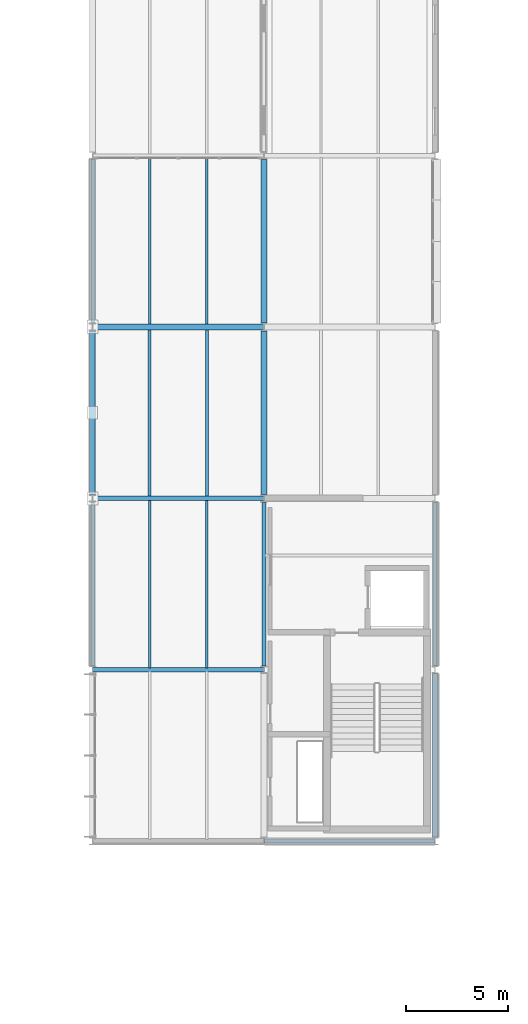
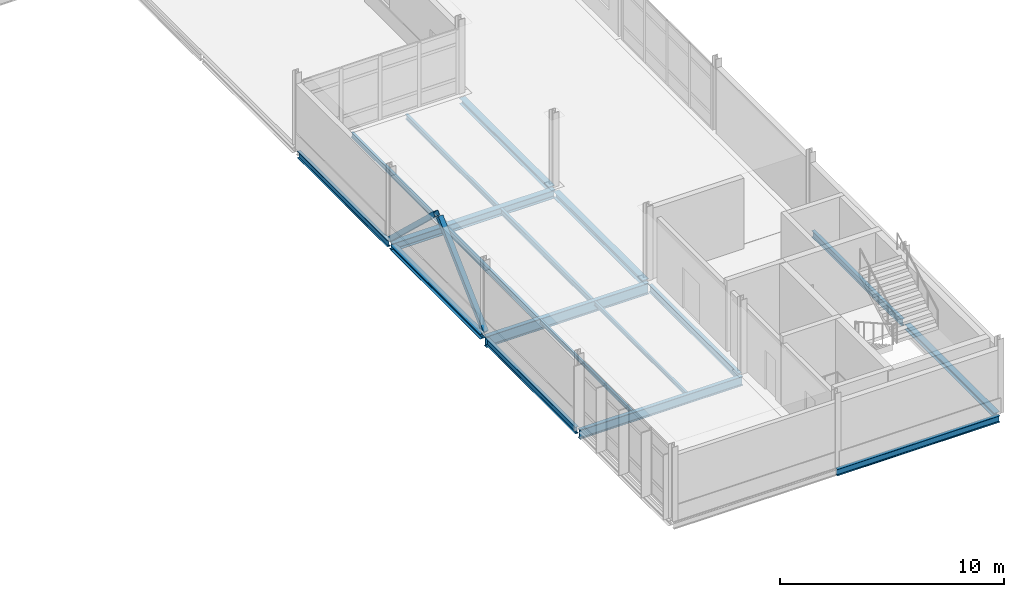
# One storey, part 61 of 103: 18 beams, 2 members.
"""IFC4 building model written with IfcOpenShell, lengths in metres."""

from ifc_helpers import new_model, si_unit, direction, frame, origin, origin_2d, place, context, subcontext, project, spatial, hollow_rectangle, i_section, extrude, material, material_profile, profile_set, type_object, element, save


model = new_model("IFC4")

# Units and contexts
model_context = context("Model", 3, precision=1e-05, world=origin(), true_north=direction((0.0, 1.0)))
body_context = subcontext(model_context, "Body", "Model", "MODEL_VIEW")
ifc_project = project(units=[si_unit("LENGTHUNIT", "METRE"), si_unit("AREAUNIT", "SQUARE_METRE"), si_unit("VOLUMEUNIT", "CUBIC_METRE"), si_unit("PLANEANGLEUNIT", "RADIAN"), si_unit("MASSUNIT", "GRAM", prefix="KILO")], contexts=[model_context])

# Site, building, storey
site_placement = place(None, origin())
site = spatial("IfcSite", under=ifc_project, at=site_placement, CompositionType="ELEMENT")
building_placement = place(site_placement, origin())
building = spatial("IfcBuilding", under=site, at=building_placement, Name="Mersafa Astral City Hall", CompositionType="ELEMENT")
storey_placement = place(building_placement, frame((0.0, 0.0, 18.0)))
storey = spatial("IfcBuildingStorey", under=building, at=storey_placement, Name="L04", CompositionType="ELEMENT", Elevation=18.0)

# Beams
ifc_material = material(Name="Steel S355", Category="steel")
ifc_material_profile_1 = material_profile(ifc_material, i_section(OverallWidth=0.300048828125, OverallDepth=0.31005859375, WebThickness=0.009033203125, FlangeThickness=0.015380859375, FilletRadius=0.027099609375, at=origin_2d()), Name="HEA 320")
ifc_profile_set_1 = profile_set([ifc_material_profile_1], Name="Steel S355")
beam_type_1 = type_object("IfcBeamType", Name="STR-BM-HEA320", PredefinedType="BEAM", material=ifc_profile_set_1)
beam_1_placement = place(storey_placement, frame((168.0, 75.794921875, -0.340087890625), z_axis=(0.0, 1.0, 0.0), x_axis=(-1.0, 0.0, 0.0)))
element("IfcBeam", 1, at=beam_1_placement, inside=storey, type_object=beam_type_1, Name="L04 Primary girder Y 20-9", PredefinedType="BEAM", context=body_context, shape_type="SweptSolid", body=[
    extrude(i_section(OverallWidth=0.300048828125, OverallDepth=0.31005859375, WebThickness=0.009033203125, FlangeThickness=0.015380859375, FilletRadius=0.027099609375, at=origin_2d()), origin(), (0.0, 0.0, 1.0), 8.010009765625),
])
ifc_material_profile_2 = material_profile(ifc_material, i_section(OverallWidth=0.300048828125, OverallDepth=0.35009765625, WebThickness=0.010009765625, FlangeThickness=0.017578125, FilletRadius=0.027099609375, at=origin_2d()), Name="HEA 360")
ifc_profile_set_2 = profile_set([ifc_material_profile_2], Name="Steel S355")
beam_type_2 = type_object("IfcBeamType", Name="STR-BM-HEA360", PredefinedType="BEAM", material=ifc_profile_set_2)
beam_2_placement = place(storey_placement, frame((168.0, 67.39501953125, -0.360107421875), z_axis=(0.0, 1.0, 0.0), x_axis=(-1.0, 0.0, 0.0)))
element("IfcBeam", 2, at=beam_2_placement, inside=storey, type_object=beam_type_2, Name="L04 Primary girder Y 20-8", PredefinedType="BEAM", context=body_context, shape_type="SweptSolid", body=[
    extrude(i_section(OverallWidth=0.300048828125, OverallDepth=0.35009765625, WebThickness=0.010009765625, FlangeThickness=0.017578125, FilletRadius=0.027099609375, at=origin_2d()), origin(), (0.0, 0.0, 1.0), 8.010009765625),
])
ifc_material_profile_3 = material_profile(ifc_material, i_section(OverallWidth=0.300048828125, OverallDepth=0.43994140625, WebThickness=0.011474609375, FlangeThickness=0.02099609375, FilletRadius=0.027099609375, at=origin_2d()), Name="HEA 450")
ifc_profile_set_3 = profile_set([ifc_material_profile_3], Name="Steel S355")
beam_type_3 = type_object("IfcBeamType", Name="STR-BM-HEA450", PredefinedType="BEAM", material=ifc_profile_set_3)
beam_3_placement = place(storey_placement, frame((159.60302734375, 75.60009765625, -0.405029296875), z_axis=(1.0, 0.0, 0.0), x_axis=(0.0, 1.0, 0.0)))
element("IfcBeam", 3, at=beam_3_placement, inside=storey, type_object=beam_type_3, Name="L04 Primary girder X 19-9", PredefinedType="BEAM", context=body_context, shape_type="SweptSolid", body=[
    extrude(i_section(OverallWidth=0.300048828125, OverallDepth=0.43994140625, WebThickness=0.011474609375, FlangeThickness=0.02099609375, FilletRadius=0.027099609375, at=origin_2d()), origin(), (0.0, 0.0, 1.0), 8.39404296875),
])
ifc_material_profile_4 = material_profile(ifc_material, i_section(OverallWidth=0.179931640625, OverallDepth=0.39990234375, WebThickness=0.008544921875, FlangeThickness=0.013427734375, FilletRadius=0.02099609375, at=origin_2d()), Name="IPE 400")
ifc_profile_set_4 = profile_set([ifc_material_profile_4], Name="Steel S355")
beam_type_4 = type_object("IfcBeamType", Name="STR-BM-IPE400", PredefinedType="BEAM", material=ifc_profile_set_4)
beam_4_placement = place(storey_placement, frame((168.0, 58.9951171875, -0.385009765625), z_axis=(0.0, 1.0, 0.0), x_axis=(-1.0, 0.0, 0.0)))
element("IfcBeam", 4, at=beam_4_placement, inside=storey, type_object=beam_type_4, Name="L04 Primary girder Y 20-7", PredefinedType="BEAM", context=body_context, shape_type="SweptSolid", body=[
    extrude(i_section(OverallWidth=0.179931640625, OverallDepth=0.39990234375, WebThickness=0.008544921875, FlangeThickness=0.013427734375, FilletRadius=0.02099609375, at=origin_2d()), origin(), (0.0, 0.0, 1.0), 8.009765625),
])
ifc_material_profile_5 = material_profile(ifc_material, i_section(OverallWidth=0.199951171875, OverallDepth=0.5, WebThickness=0.01025390625, FlangeThickness=0.01611328125, FilletRadius=0.02099609375, at=origin_2d()), Name="IPE 500")
ifc_profile_set_5 = profile_set([ifc_material_profile_5], Name="Steel S355")
beam_type_5 = type_object("IfcBeamType", Name="STR-BM-IPE500", PredefinedType="BEAM", material=ifc_profile_set_5)
beam_5_placement = place(storey_placement, frame((159.60302734375, 58.800048828125, -0.43505859375), z_axis=(1.0, 0.0, 0.0), x_axis=(0.0, 1.0, 0.0)))
element("IfcBeam", 5, at=beam_5_placement, inside=storey, type_object=beam_type_5, Name="L04 Primary girder X 19-7", PredefinedType="BEAM", context=body_context, shape_type="SweptSolid", body=[
    extrude(i_section(OverallWidth=0.199951171875, OverallDepth=0.5, WebThickness=0.01025390625, FlangeThickness=0.01611328125, FilletRadius=0.02099609375, at=origin_2d()), origin(), (0.0, 0.0, 1.0), 8.39404296875),
])
ifc_material_profile_6 = material_profile(ifc_material, i_section(OverallWidth=0.219970703125, OverallDepth=0.60009765625, WebThickness=0.011962890625, FlangeThickness=0.01904296875, FilletRadius=0.02392578125, at=origin_2d()), Name="IPE 600")
ifc_profile_set_6 = profile_set([ifc_material_profile_6], Name="Steel S355")
beam_type_6 = type_object("IfcBeamType", Name="STR-BM-IPE600", PredefinedType="BEAM", material=ifc_profile_set_6)
beam_6_placement = place(storey_placement, frame((159.60302734375, 67.199951171875, -0.485107421875), z_axis=(1.0, 0.0, 0.0), x_axis=(0.0, 1.0, 0.0)))
element("IfcBeam", 6, at=beam_6_placement, inside=storey, type_object=beam_type_6, Name="L04 Primary girder X 19-8", PredefinedType="BEAM", context=body_context, shape_type="SweptSolid", body=[
    extrude(i_section(OverallWidth=0.219970703125, OverallDepth=0.60009765625, WebThickness=0.011962890625, FlangeThickness=0.01904296875, FilletRadius=0.02392578125, at=origin_2d()), origin(), (0.0, 0.0, 1.0), 8.39404296875),
])
ifc_material_profile_7 = material_profile(ifc_material, i_section(OverallWidth=0.110107421875, OverallDepth=0.219970703125, WebThickness=0.005859375, FlangeThickness=0.00927734375, FilletRadius=0.011962890625, at=origin_2d()), Name="IPE 220")
ifc_profile_set_7 = profile_set([ifc_material_profile_7], Name="Steel S355")
beam_type_7 = type_object("IfcBeamType", Name="STR-BM-JOIST-IPE220", PredefinedType="JOIST", material=ifc_profile_set_7)
for number, where, z_axis, x_axis, name in (
    (7, (162.39990234375, 58.89501953125, -0.294921875), (0.0, 1.0, 0.0), (-1.0, 0.0, 0.0), "L04 Composite secondary floor joist 762"),
    (8, (165.199951171875, 58.89501953125, -0.294921875), (0.0, 1.0, 0.0), (-1.0, 0.0, 0.0), "L04 Composite secondary floor joist 763"),
):
    element("IfcBeam", number, at=place(storey_placement, frame(where, z_axis=z_axis, x_axis=x_axis)), inside=storey, type_object=beam_type_7, Name=name, PredefinedType="JOIST", context=body_context, shape_type="SweptSolid", body=[
        extrude(i_section(OverallWidth=0.110107421875, OverallDepth=0.219970703125, WebThickness=0.005859375, FlangeThickness=0.00927734375, FilletRadius=0.011962890625, at=origin_2d()), origin(), (0.0, 0.0, 1.0), 8.199951171875),
    ])
ifc_material_profile_8 = material_profile(ifc_material, i_section(OverallWidth=0.135009765625, OverallDepth=0.27001953125, WebThickness=0.006591796875, FlangeThickness=0.01025390625, FilletRadius=0.014892578125, at=origin_2d()), Name="IPE 270")
ifc_profile_set_8 = profile_set([ifc_material_profile_8], Name="Steel S355")
beam_type_8 = type_object("IfcBeamType", Name="STR-BM-JOIST-IPE270", PredefinedType="JOIST", material=ifc_profile_set_8)
for number, where, z_axis, x_axis, name in (
    (9, (162.39990234375, 75.7451171875, -0.320068359375), (0.0, 1.0, 0.0), (-1.0, 0.0, 0.0), "L04 Composite secondary floor joist 766"),
    (10, (165.199951171875, 75.7451171875, -0.320068359375), (0.0, 1.0, 0.0), (-1.0, 0.0, 0.0), "L04 Composite secondary floor joist 767"),
):
    element("IfcBeam", number, at=place(storey_placement, frame(where, z_axis=z_axis, x_axis=x_axis)), inside=storey, type_object=beam_type_8, Name=name, PredefinedType="JOIST", context=body_context, shape_type="SweptSolid", body=[
        extrude(i_section(OverallWidth=0.135009765625, OverallDepth=0.27001953125, WebThickness=0.006591796875, FlangeThickness=0.01025390625, FilletRadius=0.014892578125, at=origin_2d()), origin(), (0.0, 0.0, 1.0), 8.179931640625),
    ])
ifc_material_profile_9 = material_profile(ifc_material, i_section(OverallWidth=0.14990234375, OverallDepth=0.300048828125, WebThickness=0.007080078125, FlangeThickness=0.0107421875, FilletRadius=0.014892578125, at=origin_2d()), Name="IPE 300")
ifc_profile_set_9 = profile_set([ifc_material_profile_9], Name="Steel S355")
beam_type_9 = type_object("IfcBeamType", Name="STR-BM-JOIST-IPE300", PredefinedType="JOIST", material=ifc_profile_set_9)
for number, where, z_axis, x_axis, name in (
    (11, (162.39990234375, 67.304931640625, -0.3349609375), (0.0, 1.0, 0.0), (-1.0, 0.0, 0.0), "L04 Composite secondary floor joist 764"),
    (12, (165.199951171875, 67.304931640625, -0.3349609375), (0.0, 1.0, 0.0), (-1.0, 0.0, 0.0), "L04 Composite secondary floor joist 765"),
):
    element("IfcBeam", number, at=place(storey_placement, frame(where, z_axis=z_axis, x_axis=x_axis)), inside=storey, type_object=beam_type_9, Name=name, PredefinedType="JOIST", context=body_context, shape_type="SweptSolid", body=[
        extrude(i_section(OverallWidth=0.14990234375, OverallDepth=0.300048828125, WebThickness=0.007080078125, FlangeThickness=0.0107421875, FilletRadius=0.014892578125, at=origin_2d()), origin(), (0.0, 0.0, 1.0), 8.150146484375),
    ])
ifc_material_profile_10 = material_profile(ifc_material, i_section(OverallWidth=0.280029296875, OverallDepth=0.27001953125, WebThickness=0.008056640625, FlangeThickness=0.012939453125, FilletRadius=0.02392578125, at=origin_2d()), Name="HEA 280")
ifc_profile_set_10 = profile_set([ifc_material_profile_10], Name="Steel S355")
beam_type_10 = type_object("IfcBeamType", Name="STR-BM-SPANDREL-HEA280", PredefinedType="SPANDREL", material=ifc_profile_set_10)
for number, where, z_axis, x_axis, name in (
    (13, (159.60009765625, 67.39501953125, -0.320068359375), (0.0, 1.0, 0.0), (-1.0, 0.0, 0.0), "L04 Primary girder Y 19-8"),
    (14, (176.39990234375, 50.594970703125, -0.320068359375), (0.0, 1.0, 0.0), (-1.0, 0.0, 0.0), "L04 Primary girder Y 21-6"),
):
    element("IfcBeam", number, at=place(storey_placement, frame(where, z_axis=z_axis, x_axis=x_axis)), inside=storey, type_object=beam_type_10, Name=name, PredefinedType="SPANDREL", context=body_context, shape_type="SweptSolid", body=[
        extrude(i_section(OverallWidth=0.280029296875, OverallDepth=0.27001953125, WebThickness=0.008056640625, FlangeThickness=0.012939453125, FilletRadius=0.02392578125, at=origin_2d()), origin(), (0.0, 0.0, 1.0), 8.010009765625),
    ])
ifc_material_profile_11 = material_profile(ifc_material, i_section(OverallWidth=0.169921875, OverallDepth=0.360107421875, WebThickness=0.008056640625, FlangeThickness=0.0126953125, FilletRadius=0.01806640625, at=origin_2d()), Name="IPE 360")
ifc_profile_set_11 = profile_set([ifc_material_profile_11], Name="Steel S355")
beam_type_11 = type_object("IfcBeamType", Name="STR-BM-SPANDREL-IPE360", PredefinedType="SPANDREL", material=ifc_profile_set_11)
beam_7_placement = place(storey_placement, frame((168.0029296875, 50.39990234375, -0.364990234375), z_axis=(1.0, 0.0, 0.0), x_axis=(0.0, 1.0, 0.0)))
element("IfcBeam", 15, at=beam_7_placement, inside=storey, type_object=beam_type_11, Name="L04 Primary girder X 20-6", PredefinedType="SPANDREL", context=body_context, shape_type="SweptSolid", body=[
    extrude(i_section(OverallWidth=0.169921875, OverallDepth=0.360107421875, WebThickness=0.008056640625, FlangeThickness=0.0126953125, FilletRadius=0.01806640625, at=origin_2d()), origin(), (0.0, 0.0, 1.0), 8.39404296875),
])
beam_8_placement = place(storey_placement, frame((159.60009765625, 58.9951171875, -0.364990234375), z_axis=(0.0, 1.0, 0.0), x_axis=(-1.0, 0.0, 0.0)))
element("IfcBeam", 16, at=beam_8_placement, inside=storey, type_object=beam_type_11, Name="L04 Primary girder Y 19-7", PredefinedType="SPANDREL", context=body_context, shape_type="SweptSolid", body=[
    extrude(i_section(OverallWidth=0.169921875, OverallDepth=0.360107421875, WebThickness=0.008056640625, FlangeThickness=0.0126953125, FilletRadius=0.01806640625, at=origin_2d()), origin(), (0.0, 0.0, 1.0), 8.009765625),
])
beam_9_placement = place(storey_placement, frame((159.60009765625, 75.794921875, -0.364990234375), z_axis=(0.0, 1.0, 0.0), x_axis=(-1.0, 0.0, 0.0)))
element("IfcBeam", 17, at=beam_9_placement, inside=storey, type_object=beam_type_11, Name="L04 Primary girder Y 19-9", PredefinedType="SPANDREL", context=body_context, shape_type="SweptSolid", body=[
    extrude(i_section(OverallWidth=0.169921875, OverallDepth=0.360107421875, WebThickness=0.008056640625, FlangeThickness=0.0126953125, FilletRadius=0.01806640625, at=origin_2d()), origin(), (0.0, 0.0, 1.0), 8.0400390625),
])
beam_10_placement = place(storey_placement, frame((176.39990234375, 58.9951171875, -0.364990234375), z_axis=(0.0, 1.0, 0.0), x_axis=(-1.0, 0.0, 0.0)))
element("IfcBeam", 18, at=beam_10_placement, inside=storey, type_object=beam_type_11, Name="L04 Primary girder Y 21-7", PredefinedType="SPANDREL", context=body_context, shape_type="SweptSolid", body=[
    extrude(i_section(OverallWidth=0.169921875, OverallDepth=0.360107421875, WebThickness=0.008056640625, FlangeThickness=0.0126953125, FilletRadius=0.01806640625, at=origin_2d()), origin(), (0.0, 0.0, 1.0), 8.009765625),
])

# Members
ifc_material_profile_12 = material_profile(ifc_material, hollow_rectangle(XDim=0.25, YDim=0.25, WallThickness=0.012451171875, at=origin_2d()), Name="RHS 250x250x12.5")
ifc_profile_set_12 = profile_set([ifc_material_profile_12], Name="Steel S355")
member_type = type_object("IfcMemberType", Name="STR-MBR-STRUT-RHS250", PredefinedType="BRACE", material=ifc_profile_set_12)
for number, where, z_axis, x_axis, name in (
    (19, (159.60009765625, 67.197998046875, 0.02001953125), (0.0, 0.726678764455, 0.686977418326), (-1.0, 0.0, 0.0), "L04 Chevron lateral brace 36A"),
    (20, (159.60009765625, 75.60205078125, 0.02001953125), (0.0, -0.726678764455, 0.686977418326), (1.0, 0.0, 0.0), "L04 Chevron lateral brace 36B"),
):
    element("IfcMember", number, at=place(storey_placement, frame(where, z_axis=z_axis, x_axis=x_axis)), inside=storey, type_object=member_type, Name=name, PredefinedType="BRACE", context=body_context, shape_type="SweptSolid", body=[
        extrude(hollow_rectangle(XDim=0.25, YDim=0.25, WallThickness=0.012451171875, at=origin_2d()), origin(), (0.0, 0.0, 1.0), 5.58984375),
    ])

save(model, "model.ifc")
